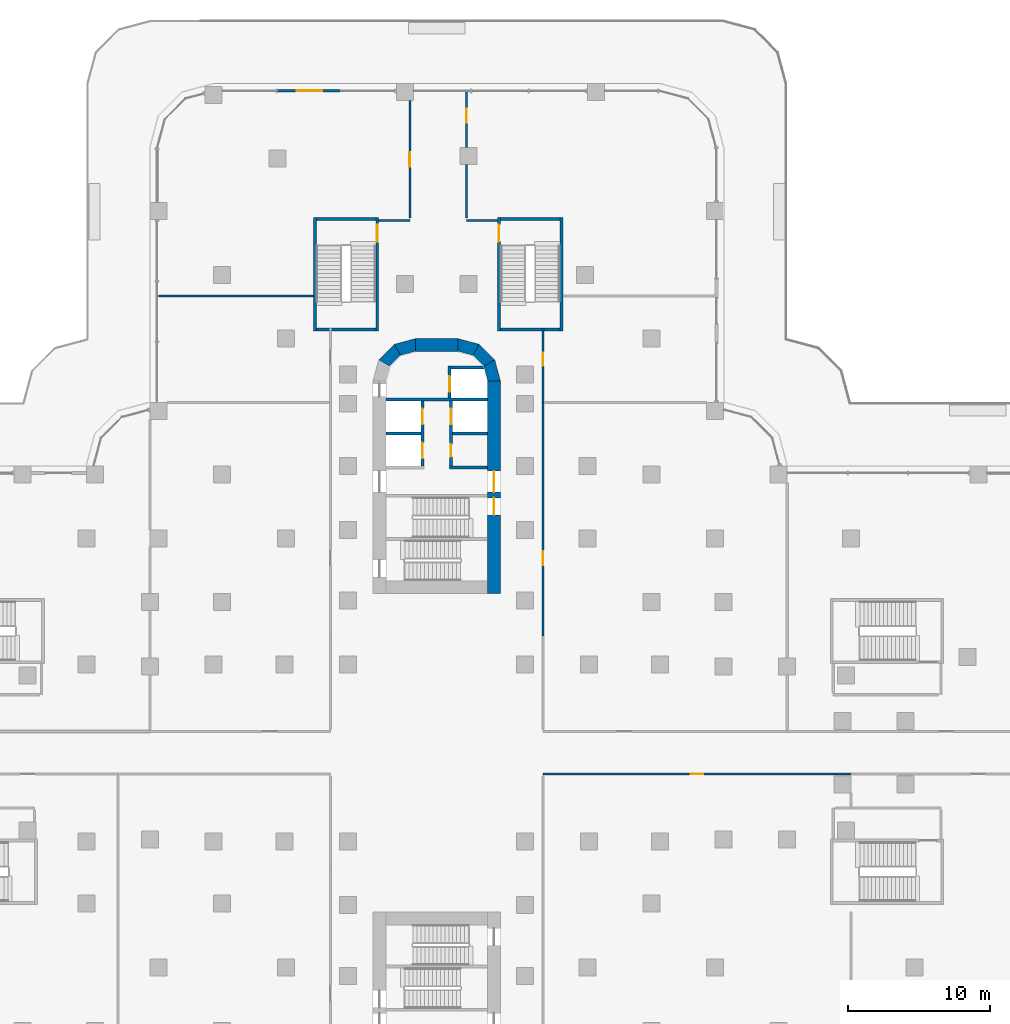
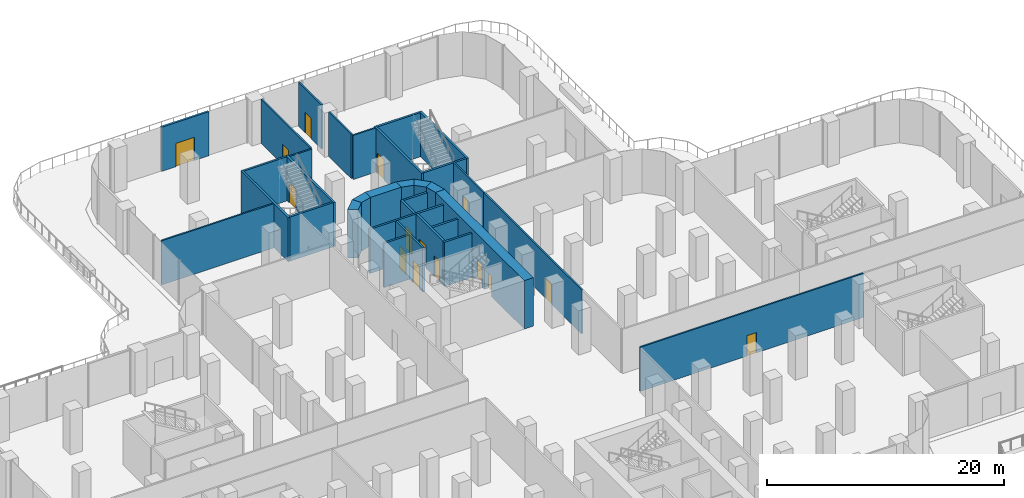
# One storey, part 21 of 29: 33 walls, 15 doors, 15 openings.
"""IFC4 building model written with IfcOpenShell, lengths in metres."""

from ifc_helpers import new_model, si_unit, direction, frame, frame_2d, origin, place, context, subcontext, project, spatial, polyline, rectangle, outline, extrude, material, layer, layer_set, type_object, element, fill, save


model = new_model("IFC4")

# Units and contexts
model_context = context("Model", 3, precision=1e-05, world=origin(), true_north=direction((0.0, 1.0)))
body_context = subcontext(model_context, "Body", "Model", "MODEL_VIEW")
ifc_project = project(units=[si_unit("LENGTHUNIT", "METRE"), si_unit("AREAUNIT", "SQUARE_METRE"), si_unit("VOLUMEUNIT", "CUBIC_METRE"), si_unit("PLANEANGLEUNIT", "RADIAN"), si_unit("MASSUNIT", "GRAM", prefix="KILO")], contexts=[model_context])

# Site, building, storey
site_placement = place(None, origin())
site = spatial("IfcSite", under=ifc_project, at=site_placement, CompositionType="ELEMENT")
building_placement = place(site_placement, origin())
building = spatial("IfcBuilding", under=site, at=building_placement, Name="Zarbagh Exchange Tower", CompositionType="ELEMENT")
storey_placement = place(building_placement, frame((0.0, 0.0, 12.0)))
storey = spatial("IfcBuildingStorey", under=building, at=storey_placement, Name="L02", CompositionType="ELEMENT", Elevation=12.0)

# Walls
ifc_material_1 = material(Name="Plasterboard partition")
ifc_layer_1 = layer(ifc_material_1, 0.14990234375)
ifc_layer_set_1 = layer_set([ifc_layer_1], Name="Board partition 150")
wall_type_1 = type_object("IfcWallType", Name="Board partition 150", PredefinedType="PARTITIONING", material=ifc_layer_set_1)
wall_1_placement = place(storey_placement, frame((-4.10009765625, 37.60009765625, 0.0), z_axis=(0.0, 0.0, 1.0), x_axis=(1.0, 0.0, 0.0)))
element("IfcWall", 1, at=wall_1_placement, inside=storey, type_object=wall_type_1, Name="WL-L02-W001", PredefinedType="PARTITIONING", context=body_context, shape_type="SweptSolid", body=[
    extrude(rectangle(XDim=2.2001953125, YDim=0.14990234375, at=frame_2d((1.10009765625, 0.0))), origin(), (0.0, 0.0, 1.0), 4.550048828125),
])
wall_2_placement = place(storey_placement, frame((2.10009765625, 37.60009765625, 0.0), z_axis=(0.0, 0.0, 1.0), x_axis=(1.0, 0.0, 0.0)))
element("IfcWall", 2, at=wall_2_placement, inside=storey, type_object=wall_type_1, Name="WL-L02-W002", PredefinedType="PARTITIONING", context=body_context, shape_type="SweptSolid", body=[
    extrude(rectangle(XDim=2.199951171875, YDim=0.14990234375, at=frame_2d((1.10009765625, 0.0))), origin(), (0.0, 0.0, 1.0), 4.550048828125),
])

# Wall, opening, door
wall_3_placement = place(storey_placement, frame((7.5, 24.75, 0.0), z_axis=(0.0, 0.0, 1.0), x_axis=(0.0, -1.0, 0.0)))
wall_3 = element("IfcWall", 3, at=wall_3_placement, inside=storey, type_object=wall_type_1, Name="WL-L02-W031", PredefinedType="PARTITIONING", context=body_context, shape_type="SweptSolid", body=[
    extrude(rectangle(XDim=16.5, YDim=0.14990234375, at=frame_2d((8.25, 0.0))), origin(), (0.0, 0.0, 1.0), 4.550048828125),
])
opening_1_placement = place(wall_3_placement, frame((10.5, 0.0, 0.0)))
opening_1 = element("IfcOpeningElement", 4, at=opening_1_placement, cuts=wall_3, Name="Opening D43", PredefinedType="OPENING", context=body_context, shape_type="SweptSolid", body=[
    extrude(rectangle(XDim=1.0, YDim=2.10009765625, at=frame_2d((0.5, 1.050048828125))), frame((0.0, 0.0849609375, 0.0), z_axis=(0.0, -1.0, 0.0), x_axis=(1.0, 0.0, 0.0)), (0.0, 0.0, 1.0), 0.169921875),
])
ifc_material_2 = material(Name="Timber door leaf", Category="wood")
door_type_1 = type_object("IfcDoorType", Name="Door single 1000x2100", OperationType="SINGLE_SWING_LEFT", PredefinedType="DOOR", material=ifc_material_2)
door_1_placement = place(opening_1_placement, origin())
door_1 = element("IfcDoor", 5, at=door_1_placement, inside=storey, type_object=door_type_1, Name="D06", OperationType="SINGLE_SWING_LEFT", OverallHeight=2.10009765625, OverallWidth=1.0, PredefinedType="DOOR", context=body_context, shape_type="SweptSolid", body=[
    extrude(rectangle(XDim=1.0, YDim=2.10009765625, at=frame_2d((0.5, 1.050048828125))), frame((0.0, 0.02490234375, 0.0), z_axis=(0.0, -1.0, 0.0), x_axis=(1.0, 0.0, 0.0)), (0.0, 0.0, 1.0), 0.050048828125),
])
fill(opening_1, door_1)

wall_4_placement = place(storey_placement, frame((7.5, 30.0, 0.0), z_axis=(0.0, 0.0, 1.0), x_axis=(0.0, -1.0, 0.0)))
wall_4 = element("IfcWall", 6, at=wall_4_placement, inside=storey, type_object=wall_type_1, Name="WL-L02-W032", PredefinedType="PARTITIONING", context=body_context, shape_type="SweptSolid", body=[
    extrude(rectangle(XDim=5.25, YDim=0.14990234375, at=frame_2d((2.625, 0.0))), origin(), (0.0, 0.0, 1.0), 4.550048828125),
])
opening_2_placement = place(wall_4_placement, frame((1.75, 0.0, 0.0)))
opening_2 = element("IfcOpeningElement", 7, at=opening_2_placement, cuts=wall_4, Name="Opening D07", PredefinedType="OPENING", context=body_context, shape_type="SweptSolid", body=[
    extrude(rectangle(XDim=0.89990234375, YDim=2.10009765625, at=frame_2d((0.449951171875, 1.050048828125))), frame((0.0, 0.0849609375, 0.0), z_axis=(0.0, -1.0, 0.0), x_axis=(1.0, 0.0, 0.0)), (0.0, 0.0, 1.0), 0.169921875),
])
door_type_2 = type_object("IfcDoorType", Name="Door single 900x2100", OperationType="SINGLE_SWING_LEFT", PredefinedType="DOOR", material=ifc_material_2)
door_2_placement = place(opening_2_placement, origin())
door_2 = element("IfcDoor", 8, at=door_2_placement, inside=storey, type_object=door_type_2, Name="D07", OperationType="SINGLE_SWING_LEFT", OverallHeight=2.10009765625, OverallWidth=0.89990234375, PredefinedType="DOOR", context=body_context, shape_type="SweptSolid", body=[
    extrude(rectangle(XDim=0.89990234375, YDim=2.10009765625, at=frame_2d((0.449951171875, 1.050048828125))), frame((0.0, 0.02490234375, 0.0), z_axis=(0.0, -1.0, 0.0), x_axis=(1.0, 0.0, 0.0)), (0.0, 0.0, 1.0), 0.050048828125),
])
fill(opening_2, door_2)

wall_5_placement = place(storey_placement, frame((29.25, -1.5, 0.0), z_axis=(0.0, 0.0, 1.0), x_axis=(-1.0, 0.0, 0.0)))
wall_5 = element("IfcWall", 9, at=wall_5_placement, inside=storey, type_object=wall_type_1, Name="WL-L02-W041", PredefinedType="PARTITIONING", context=body_context, shape_type="SweptSolid", body=[
    extrude(rectangle(XDim=21.75, YDim=0.14990234375, at=frame_2d((10.875, 0.0))), origin(), (0.0, 0.0, 1.0), 4.550048828125),
])
opening_3_placement = place(wall_5_placement, frame((10.425048828125, 0.0, 0.0)))
opening_3 = element("IfcOpeningElement", 10, at=opening_3_placement, cuts=wall_5, Name="Opening D13", PredefinedType="OPENING", context=body_context, shape_type="SweptSolid", body=[
    extrude(rectangle(XDim=0.89990234375, YDim=2.10009765625, at=frame_2d((0.449951171875, 1.050048828125))), frame((0.0, 0.0849609375, 0.0), z_axis=(0.0, -1.0, 0.0), x_axis=(1.0, 0.0, 0.0)), (0.0, 0.0, 1.0), 0.169921875),
])
door_3_placement = place(opening_3_placement, origin())
door_3 = element("IfcDoor", 11, at=door_3_placement, inside=storey, type_object=door_type_2, Name="D13", OperationType="SINGLE_SWING_LEFT", OverallHeight=2.10009765625, OverallWidth=0.89990234375, PredefinedType="DOOR", context=body_context, shape_type="SweptSolid", body=[
    extrude(rectangle(XDim=0.89990234375, YDim=2.10009765625, at=frame_2d((0.449951171875, 1.050048828125))), frame((0.0, 0.02490234375, 0.0), z_axis=(0.0, -1.0, 0.0), x_axis=(1.0, 0.0, 0.0)), (0.0, 0.0, 1.0), 0.050048828125),
])
fill(opening_3, door_3)

wall_6_placement = place(storey_placement, frame((2.10009765625, 46.64990234375, 0.0), z_axis=(0.0, 0.0, 1.0), x_axis=(0.0, -1.0, 0.0)))
wall_6 = element("IfcWall", 12, at=wall_6_placement, inside=storey, type_object=wall_type_1, Name="WL-L02-W048", PredefinedType="PARTITIONING", context=body_context, shape_type="SweptSolid", body=[
    extrude(rectangle(XDim=3.89990234375, YDim=0.14990234375, at=frame_2d((1.949951171875, 0.0))), origin(), (0.0, 0.0, 1.0), 4.550048828125),
])
opening_4_placement = place(wall_6_placement, frame((1.14990234375, 0.0, 0.0)))
opening_4 = element("IfcOpeningElement", 13, at=opening_4_placement, cuts=wall_6, Name="Opening D63", PredefinedType="OPENING", context=body_context, shape_type="SweptSolid", body=[
    extrude(rectangle(XDim=1.0, YDim=2.10009765625, at=frame_2d((0.5, 1.050048828125))), frame((0.0, 0.0849609375, 0.0), z_axis=(0.0, -1.0, 0.0), x_axis=(1.0, 0.0, 0.0)), (0.0, 0.0, 1.0), 0.169921875),
])
door_4_placement = place(opening_4_placement, origin())
door_4 = element("IfcDoor", 14, at=door_4_placement, inside=storey, type_object=door_type_1, Name="D18", OperationType="SINGLE_SWING_LEFT", OverallHeight=2.10009765625, OverallWidth=1.0, PredefinedType="DOOR", context=body_context, shape_type="SweptSolid", body=[
    extrude(rectangle(XDim=1.0, YDim=2.10009765625, at=frame_2d((0.5, 1.050048828125))), frame((0.0, 0.02490234375, 0.0), z_axis=(0.0, -1.0, 0.0), x_axis=(1.0, 0.0, 0.0)), (0.0, 0.0, 1.0), 0.050048828125),
])
fill(opening_4, door_4)

# Wall
wall_7_placement = place(storey_placement, frame((2.10009765625, 41.550048828125, 0.0), z_axis=(0.0, 0.0, 1.0), x_axis=(0.0, -1.0, 0.0)))
element("IfcWall", 15, at=wall_7_placement, inside=storey, type_object=wall_type_1, Name="WL-L02-W049", PredefinedType="PARTITIONING", context=body_context, shape_type="SweptSolid", body=[
    extrude(rectangle(XDim=3.800048828125, YDim=0.14990234375, at=frame_2d((1.89990234375, 0.0))), origin(), (0.0, 0.0, 1.0), 4.550048828125),
])

# Wall, opening, door
wall_8_placement = place(storey_placement, frame((-1.89990234375, 37.75, 0.0), z_axis=(0.0, 0.0, 1.0), x_axis=(0.0, 1.0, 0.0)))
wall_8 = element("IfcWall", 16, at=wall_8_placement, inside=storey, type_object=wall_type_1, Name="WL-L02-W050", PredefinedType="PARTITIONING", context=body_context, shape_type="SweptSolid", body=[
    extrude(rectangle(XDim=8.300048828125, YDim=0.14990234375, at=frame_2d((4.14990234375, 0.0))), origin(), (0.0, 0.0, 1.0), 4.550048828125),
])
opening_5_placement = place(wall_8_placement, frame((3.64990234375, 0.0, 0.0)))
opening_5 = element("IfcOpeningElement", 17, at=opening_5_placement, cuts=wall_8, Name="Opening D19", PredefinedType="OPENING", context=body_context, shape_type="SweptSolid", body=[
    extrude(rectangle(XDim=1.0, YDim=2.10009765625, at=frame_2d((0.5, 1.050048828125))), frame((0.0, 0.0849609375, 0.0), z_axis=(0.0, -1.0, 0.0), x_axis=(1.0, 0.0, 0.0)), (0.0, 0.0, 1.0), 0.169921875),
])
door_5_placement = place(opening_5_placement, origin())
door_5 = element("IfcDoor", 18, at=door_5_placement, inside=storey, type_object=door_type_1, Name="D19", OperationType="SINGLE_SWING_LEFT", OverallHeight=2.10009765625, OverallWidth=1.0, PredefinedType="DOOR", context=body_context, shape_type="SweptSolid", body=[
    extrude(rectangle(XDim=1.0, YDim=2.10009765625, at=frame_2d((0.5, 1.050048828125))), frame((0.0, 0.02490234375, 0.0), z_axis=(0.0, -1.0, 0.0), x_axis=(1.0, 0.0, 0.0)), (0.0, 0.0, 1.0), 0.050048828125),
])
fill(opening_5, door_5)

# Walls
wall_9_placement = place(storey_placement, frame((-19.64990234375, 32.25, 0.0), z_axis=(0.0, 0.0, 1.0), x_axis=(1.0, 0.0, 0.0)))
element("IfcWall", 19, at=wall_9_placement, inside=storey, type_object=wall_type_1, Name="WL-L02-W062", PredefinedType="PARTITIONING", context=body_context, shape_type="SweptSolid", body=[
    extrude(rectangle(XDim=10.949951171875, YDim=0.14990234375, at=frame_2d((5.47509765625, 0.0))), origin(), (0.0, 0.0, 1.0), 4.550048828125),
])
ifc_material_3 = material(Name="Concrete C60/75", Category="concrete")
ifc_layer_2 = layer(ifc_material_3, 0.89990234375)
ifc_layer_set_2 = layer_set([ifc_layer_2], Name="RC core corner wall 900 C60/75")
wall_type_2 = type_object("IfcWallType", Name="RC core corner wall 900 C60/75", PredefinedType="SHEAR", material=ifc_layer_set_2)
wall_10_placement = place(storey_placement, origin())
element("IfcWall", 20, at=wall_10_placement, inside=storey, type_object=wall_type_2, Name="CW2 core N corner W", PredefinedType="SHEAR", context=body_context, shape_type="SweptSolid", body=[
    extrude(outline(polyline([(-4.09814453125, 27.75), (-3.0, 28.84814453125), (-2.550048828125, 28.068603515625), (-3.318603515625, 27.300048828125), (-4.09814453125, 27.75)])), origin(), (0.0, 0.0, 1.0), 5.0),
])
wall_11_placement = place(storey_placement, origin())
element("IfcWall", 21, at=wall_11_placement, inside=storey, type_object=wall_type_2, Name="CW2 core N corner W", PredefinedType="SHEAR", context=body_context, shape_type="SweptSolid", body=[
    extrude(outline(polyline([(-3.0, 28.84814453125), (-1.5, 29.25), (-1.5, 28.35009765625), (-2.550048828125, 28.068603515625), (-3.0, 28.84814453125)])), origin(), (0.0, 0.0, 1.0), 5.0),
])
wall_12_placement = place(storey_placement, origin())
element("IfcWall", 22, at=wall_12_placement, inside=storey, type_object=wall_type_2, Name="CW2 core N corner E", PredefinedType="SHEAR", context=body_context, shape_type="SweptSolid", body=[
    extrude(outline(polyline([(4.5, 26.25), (4.09814453125, 27.75), (3.318603515625, 27.300048828125), (3.60009765625, 26.25), (4.5, 26.25)])), origin(), (0.0, 0.0, 1.0), 5.0),
])
wall_13_placement = place(storey_placement, origin())
element("IfcWall", 23, at=wall_13_placement, inside=storey, type_object=wall_type_2, Name="CW2 core N corner E", PredefinedType="SHEAR", context=body_context, shape_type="SweptSolid", body=[
    extrude(outline(polyline([(4.09814453125, 27.75), (3.0, 28.84814453125), (2.550048828125, 28.068603515625), (3.318603515625, 27.300048828125), (4.09814453125, 27.75)])), origin(), (0.0, 0.0, 1.0), 5.0),
])
wall_14_placement = place(storey_placement, origin())
element("IfcWall", 24, at=wall_14_placement, inside=storey, type_object=wall_type_2, Name="CW2 core N corner E", PredefinedType="SHEAR", context=body_context, shape_type="SweptSolid", body=[
    extrude(outline(polyline([(3.0, 28.84814453125), (1.5, 29.25), (1.5, 28.35009765625), (2.550048828125, 28.068603515625), (3.0, 28.84814453125)])), origin(), (0.0, 0.0, 1.0), 5.0),
])

# Wall, openings, doors
ifc_layer_3 = layer(ifc_material_3, 0.89990234375)
ifc_layer_set_3 = layer_set([ifc_layer_3], Name="RC core wall 900 C60/75")
wall_type_3 = type_object("IfcWallType", Name="RC core wall 900 C60/75", PredefinedType="SHEAR", material=ifc_layer_set_3)
wall_15_placement = place(storey_placement, frame((4.050048828125, 11.25, 0.0), z_axis=(0.0, 0.0, 1.0), x_axis=(0.0, 1.0, 0.0)))
wall_15 = element("IfcWall", 25, at=wall_15_placement, inside=storey, type_object=wall_type_3, Name="CW1 core N E", PredefinedType="SHEAR", context=body_context, shape_type="SweptSolid", body=[
    extrude(rectangle(XDim=15.0, YDim=0.89990234375, at=frame_2d((7.5, 0.0))), origin(), (0.0, 0.0, 1.0), 5.0),
])
opening_6_placement = place(wall_15_placement, frame((7.14990234375, 0.0, 0.0)))
opening_6 = element("IfcOpeningElement", 26, at=opening_6_placement, cuts=wall_15, Name="Opening CD1-1500", PredefinedType="OPENING", context=body_context, shape_type="SweptSolid", body=[
    extrude(rectangle(XDim=1.5, YDim=2.300048828125, at=frame_2d((0.75, 1.14990234375))), frame((0.0, 0.4599609375, 0.0), z_axis=(0.0, -1.0, 0.0), x_axis=(1.0, 0.0, 0.0)), (0.0, 0.0, 1.0), 0.919921875),
])
opening_7_placement = place(wall_15_placement, frame((5.550048828125, 0.0, 0.0)))
opening_7 = element("IfcOpeningElement", 27, at=opening_7_placement, cuts=wall_15, Name="Opening SD1-1200", PredefinedType="OPENING", context=body_context, shape_type="SweptSolid", body=[
    extrude(rectangle(XDim=1.199951171875, YDim=2.10009765625, at=frame_2d((0.60009765625, 1.050048828125))), frame((0.0, 0.4599609375, 0.0), z_axis=(0.0, -1.0, 0.0), x_axis=(1.0, 0.0, 0.0)), (0.0, 0.0, 1.0), 0.919921875),
])
ifc_material_4 = material(Name="Steel", Category="steel")
door_type_3 = type_object("IfcDoorType", Name="Exit stair door 1200 x 2100", OperationType="NOTDEFINED", PredefinedType="DOOR", material=ifc_material_4)
door_6_placement = place(opening_7_placement, origin())
door_6 = element("IfcDoor", 28, at=door_6_placement, inside=storey, type_object=door_type_3, Name="North core stair door ST1", OperationType="SINGLE_SWING_RIGHT", OverallHeight=2.10009765625, OverallWidth=1.199951171875, PredefinedType="DOOR", context=body_context, shape_type="SweptSolid", body=[
    extrude(rectangle(XDim=1.199951171875, YDim=2.10009765625, at=frame_2d((0.60009765625, 1.050048828125))), frame((0.0, 0.02490234375, 0.0), z_axis=(0.0, -1.0, 0.0), x_axis=(1.0, 0.0, 0.0)), (0.0, 0.0, 1.0), 0.050048828125),
])
fill(opening_7, door_6)
door_type_4 = type_object("IfcDoorType", Name="Lift lobby double door 1500 x 2300", OperationType="NOTDEFINED", PredefinedType="DOOR", material=ifc_material_4)
door_7_placement = place(opening_6_placement, origin())
door_7 = element("IfcDoor", 29, at=door_7_placement, inside=storey, type_object=door_type_4, Name="North core lift lobby door LOBBY-E", OperationType="DOUBLE_DOOR_SINGLE_SWING", OverallHeight=2.300048828125, OverallWidth=1.5, PredefinedType="DOOR", context=body_context, shape_type="SweptSolid", body=[
    extrude(rectangle(XDim=1.5, YDim=2.300048828125, at=frame_2d((0.75, 1.14990234375))), frame((0.0, 0.02490234375, 0.0), z_axis=(0.0, -1.0, 0.0), x_axis=(1.0, 0.0, 0.0)), (0.0, 0.0, 1.0), 0.050048828125),
])
fill(opening_6, door_7)

# Wall
wall_16_placement = place(storey_placement, frame((-1.5, 28.800048828125, 0.0), z_axis=(0.0, 0.0, 1.0), x_axis=(1.0, 0.0, 0.0)))
element("IfcWall", 30, at=wall_16_placement, inside=storey, type_object=wall_type_3, Name="CW1 core N outer end", PredefinedType="SHEAR", context=body_context, shape_type="SweptSolid", body=[
    extrude(rectangle(XDim=3.0, YDim=0.89990234375, at=frame_2d((1.5, 0.0))), origin(), (0.0, 0.0, 1.0), 5.0),
])

# Wall, openings, doors
ifc_material_5 = material(Name="Dense blockwork", Category="masonry")
ifc_layer_4 = layer(ifc_material_5, 0.199951171875)
ifc_layer_set_4 = layer_set([ifc_layer_4], Name="Shaft wall 200 mm blockwork")
wall_type_4 = type_object("IfcWallType", Name="Shaft wall 200 mm blockwork", PredefinedType="PARTITIONING", material=ifc_layer_set_4)
wall_17_placement = place(storey_placement, frame((-1.0, 24.85009765625, 0.0), z_axis=(0.0, 0.0, 1.0), x_axis=(0.0, -1.0, 0.0)))
wall_17 = element("IfcWall", 31, at=wall_17_placement, inside=storey, type_object=wall_type_4, Name="North core shaft wall LW-W", PredefinedType="PARTITIONING", context=body_context, shape_type="SweptSolid", body=[
    extrude(rectangle(XDim=4.60009765625, YDim=0.199951171875, at=frame_2d((2.300048828125, 0.0))), origin(), (0.0, 0.0, 1.0), 4.550048828125),
])
opening_8_placement = place(wall_17_placement, frame((0.550048828125, 0.0, 0.0)))
opening_8 = element("IfcOpeningElement", 32, at=opening_8_placement, cuts=wall_17, Name="Opening LD-1100", PredefinedType="OPENING", context=body_context, shape_type="SweptSolid", body=[
    extrude(rectangle(XDim=1.10009765625, YDim=2.300048828125, at=frame_2d((0.550048828125, 1.14990234375))), frame((0.0, 0.10986328125, 0.0), z_axis=(0.0, -1.0, 0.0), x_axis=(1.0, 0.0, 0.0)), (0.0, 0.0, 1.0), 0.219970703125),
])
opening_9_placement = place(wall_17_placement, frame((2.949951171875, 0.0, 0.0)))
opening_9 = element("IfcOpeningElement", 33, at=opening_9_placement, cuts=wall_17, Name="Opening LD-1100", PredefinedType="OPENING", context=body_context, shape_type="SweptSolid", body=[
    extrude(rectangle(XDim=1.10009765625, YDim=2.300048828125, at=frame_2d((0.550048828125, 1.14990234375))), frame((0.0, 0.10986328125, 0.0), z_axis=(0.0, -1.0, 0.0), x_axis=(1.0, 0.0, 0.0)), (0.0, 0.0, 1.0), 0.219970703125),
])
ifc_material_6 = material(Name="Stainless steel", Category="steel")
door_type_5 = type_object("IfcDoorType", Name="Lift landing door 1100 x 2300", OperationType="NOTDEFINED", PredefinedType="DOOR", material=ifc_material_6)
door_8_placement = place(opening_8_placement, origin())
door_8 = element("IfcDoor", 34, at=door_8_placement, inside=storey, type_object=door_type_5, Name="North core lift landing door LD-P-N1", OperationType="DOUBLE_DOOR_SLIDING", OverallHeight=2.300048828125, OverallWidth=1.10009765625, PredefinedType="DOOR", context=body_context, shape_type="SweptSolid", body=[
    extrude(rectangle(XDim=1.10009765625, YDim=2.300048828125, at=frame_2d((0.550048828125, 1.14990234375))), frame((0.0, 0.02490234375, 0.0), z_axis=(0.0, -1.0, 0.0), x_axis=(1.0, 0.0, 0.0)), (0.0, 0.0, 1.0), 0.050048828125),
])
fill(opening_8, door_8)
door_9_placement = place(opening_9_placement, origin())
door_9 = element("IfcDoor", 35, at=door_9_placement, inside=storey, type_object=door_type_5, Name="North core lift landing door LD-P-N2", OperationType="DOUBLE_DOOR_SLIDING", OverallHeight=2.300048828125, OverallWidth=1.10009765625, PredefinedType="DOOR", context=body_context, shape_type="SweptSolid", body=[
    extrude(rectangle(XDim=1.10009765625, YDim=2.300048828125, at=frame_2d((0.550048828125, 1.14990234375))), frame((0.0, 0.02490234375, 0.0), z_axis=(0.0, -1.0, 0.0), x_axis=(1.0, 0.0, 0.0)), (0.0, 0.0, 1.0), 0.050048828125),
])
fill(opening_9, door_9)

# Wall
wall_18_placement = place(storey_placement, frame((0.89990234375, 20.14990234375, 0.0), z_axis=(0.0, 0.0, 1.0), x_axis=(1.0, 0.0, 0.0)))
element("IfcWall", 36, at=wall_18_placement, inside=storey, type_object=wall_type_4, Name="North core shaft wall AB-E", PredefinedType="PARTITIONING", context=body_context, shape_type="SweptSolid", body=[
    extrude(rectangle(XDim=2.7001953125, YDim=0.199951171875, at=frame_2d((1.35009765625, 0.0))), origin(), (0.0, 0.0, 1.0), 4.550048828125),
])

# Wall, openings, doors
wall_19_placement = place(storey_placement, frame((1.0, 24.85009765625, 0.0), z_axis=(0.0, 0.0, 1.0), x_axis=(0.0, -1.0, 0.0)))
wall_19 = element("IfcWall", 37, at=wall_19_placement, inside=storey, type_object=wall_type_4, Name="North core shaft wall LW-E", PredefinedType="PARTITIONING", context=body_context, shape_type="SweptSolid", body=[
    extrude(rectangle(XDim=4.60009765625, YDim=0.199951171875, at=frame_2d((2.300048828125, 0.0))), origin(), (0.0, 0.0, 1.0), 4.550048828125),
])
opening_10_placement = place(wall_19_placement, frame((0.550048828125, 0.0, 0.0)))
opening_10 = element("IfcOpeningElement", 38, at=opening_10_placement, cuts=wall_19, Name="Opening LD-1100", PredefinedType="OPENING", context=body_context, shape_type="SweptSolid", body=[
    extrude(rectangle(XDim=1.10009765625, YDim=2.300048828125, at=frame_2d((0.550048828125, 1.14990234375))), frame((0.0, 0.10986328125, 0.0), z_axis=(0.0, -1.0, 0.0), x_axis=(1.0, 0.0, 0.0)), (0.0, 0.0, 1.0), 0.219970703125),
])
opening_11_placement = place(wall_19_placement, frame((3.050048828125, 0.0, 0.0)))
opening_11 = element("IfcOpeningElement", 39, at=opening_11_placement, cuts=wall_19, Name="Opening CD3-900", PredefinedType="OPENING", context=body_context, shape_type="SweptSolid", body=[
    extrude(rectangle(XDim=0.89990234375, YDim=2.10009765625, at=frame_2d((0.449951171875, 1.050048828125))), frame((0.0, 0.10986328125, 0.0), z_axis=(0.0, -1.0, 0.0), x_axis=(1.0, 0.0, 0.0)), (0.0, 0.0, 1.0), 0.219970703125),
])
door_type_6 = type_object("IfcDoorType", Name="Core room door 900 x 2100", OperationType="NOTDEFINED", PredefinedType="DOOR", material=ifc_material_4)
door_10_placement = place(opening_11_placement, origin())
door_10 = element("IfcDoor", 40, at=door_10_placement, inside=storey, type_object=door_type_6, Name="North core Accessible WC door RD-E-0", OperationType="SINGLE_SWING_RIGHT", OverallHeight=2.10009765625, OverallWidth=0.89990234375, PredefinedType="DOOR", context=body_context, shape_type="SweptSolid", body=[
    extrude(rectangle(XDim=0.89990234375, YDim=2.10009765625, at=frame_2d((0.449951171875, 1.050048828125))), frame((0.0, 0.02490234375, 0.0), z_axis=(0.0, -1.0, 0.0), x_axis=(1.0, 0.0, 0.0)), (0.0, 0.0, 1.0), 0.050048828125),
])
fill(opening_11, door_10)
door_11_placement = place(opening_10_placement, origin())
door_11 = element("IfcDoor", 41, at=door_11_placement, inside=storey, type_object=door_type_5, Name="North core lift landing door LD-P-N3", OperationType="DOUBLE_DOOR_SLIDING", OverallHeight=2.300048828125, OverallWidth=1.10009765625, PredefinedType="DOOR", context=body_context, shape_type="SweptSolid", body=[
    extrude(rectangle(XDim=1.10009765625, YDim=2.300048828125, at=frame_2d((0.550048828125, 1.14990234375))), frame((0.0, 0.02490234375, 0.0), z_axis=(0.0, -1.0, 0.0), x_axis=(1.0, 0.0, 0.0)), (0.0, 0.0, 1.0), 0.050048828125),
])
fill(opening_10, door_11)

# Walls
for number, where, z_axis, x_axis, name in (
    (42, (-3.60009765625, 22.550048828125, 0.0), (0.0, 0.0, 1.0), (1.0, 0.0, 0.0), "North core shaft wall TR-W"),
    (43, (1.10009765625, 22.550048828125, 0.0), (0.0, 0.0, 1.0), (1.0, 0.0, 0.0), "North core shaft wall TR-E"),
):
    element("IfcWall", number, at=place(storey_placement, frame(where, z_axis=z_axis, x_axis=x_axis)), inside=storey, type_object=wall_type_4, Name=name, PredefinedType="PARTITIONING", context=body_context, shape_type="SweptSolid", body=[
        extrude(rectangle(XDim=2.5, YDim=0.199951171875, at=frame_2d((1.25, 0.0))), origin(), (0.0, 0.0, 1.0), 4.550048828125),
    ])
ifc_material_7 = material(Name="Concrete C40/50", Category="concrete")
ifc_layer_5 = layer(ifc_material_7, 0.199951171875)
ifc_layer_set_5 = layer_set([ifc_layer_5], Name="Stair enclosure wall 200 mm RC C40/50")
wall_type_5 = type_object("IfcWallType", Name="Stair enclosure wall 200 mm RC C40/50", PredefinedType="SHEAR", material=ifc_layer_set_5)
wall_20_placement = place(storey_placement, frame((-3.60009765625, 24.949951171875, 0.0), z_axis=(0.0, 0.0, 1.0), x_axis=(1.0, 0.0, 0.0)))
element("IfcWall", 44, at=wall_20_placement, inside=storey, type_object=wall_type_5, Name="North core lift shaft wall FFA", PredefinedType="SHEAR", context=body_context, shape_type="SweptSolid", body=[
    extrude(rectangle(XDim=7.2001953125, YDim=0.199951171875, at=frame_2d((3.60009765625, 0.0))), origin(), (0.0, 0.0, 1.0), 4.550048828125),
])

# Wall, opening, door
wall_21_placement = place(storey_placement, frame((0.89990234375, 27.300048828125, 0.0), z_axis=(0.0, 0.0, 1.0), x_axis=(0.0, -1.0, 0.0)))
wall_21 = element("IfcWall", 45, at=wall_21_placement, inside=storey, type_object=wall_type_5, Name="North core lift shaft wall FFL", PredefinedType="SHEAR", context=body_context, shape_type="SweptSolid", body=[
    extrude(rectangle(XDim=2.25, YDim=0.199951171875, at=frame_2d((1.125, 0.0))), origin(), (0.0, 0.0, 1.0), 4.550048828125),
])
opening_12_placement = place(wall_21_placement, frame((0.699951171875, 0.0, 0.0)))
opening_12 = element("IfcOpeningElement", 46, at=opening_12_placement, cuts=wall_21, Name="Opening LD-1100", PredefinedType="OPENING", context=body_context, shape_type="SweptSolid", body=[
    extrude(rectangle(XDim=1.10009765625, YDim=2.300048828125, at=frame_2d((0.550048828125, 1.14990234375))), frame((0.0, 0.10986328125, 0.0), z_axis=(0.0, -1.0, 0.0), x_axis=(1.0, 0.0, 0.0)), (0.0, 0.0, 1.0), 0.219970703125),
])
door_12_placement = place(opening_12_placement, origin())
door_12 = element("IfcDoor", 47, at=door_12_placement, inside=storey, type_object=door_type_5, Name="North core lift landing door LD-F", OperationType="DOUBLE_DOOR_SLIDING", OverallHeight=2.300048828125, OverallWidth=1.10009765625, PredefinedType="DOOR", context=body_context, shape_type="SweptSolid", body=[
    extrude(rectangle(XDim=1.10009765625, YDim=2.300048828125, at=frame_2d((0.550048828125, 1.14990234375))), frame((0.0, 0.02490234375, 0.0), z_axis=(0.0, -1.0, 0.0), x_axis=(1.0, 0.0, 0.0)), (0.0, 0.0, 1.0), 0.050048828125),
])
fill(opening_12, door_12)

# Walls
wall_22_placement = place(storey_placement, origin())
element("IfcWall", 48, at=wall_22_placement, inside=storey, type_object=wall_type_5, Name="North core lift shaft wall FFX", PredefinedType="SHEAR", context=body_context, shape_type="SweptSolid", body=[
    extrude(outline(polyline([(1.0, 27.10009765625), (3.340576171875, 27.10009765625), (3.291259765625, 27.2841796875), (3.275390625, 27.300048828125), (1.0, 27.300048828125), (1.0, 27.10009765625)])), origin(), (0.0, 0.0, 1.0), 4.550048828125),
])
wall_23_placement = place(storey_placement, frame((-8.60009765625, 29.800048828125, 0.0), z_axis=(0.0, 0.0, 1.0), x_axis=(0.0, 1.0, 0.0)))
element("IfcWall", 49, at=wall_23_placement, inside=storey, type_object=wall_type_5, Name="Exit stair PS1 enclosure wall W", PredefinedType="SHEAR", context=body_context, shape_type="SweptSolid", body=[
    extrude(rectangle(XDim=8.0, YDim=0.199951171875, at=frame_2d((4.0, 0.0))), origin(), (0.0, 0.0, 1.0), 4.550048828125),
])

# Wall, opening, door
wall_24_placement = place(storey_placement, frame((-4.199951171875, 29.800048828125, 0.0), z_axis=(0.0, 0.0, 1.0), x_axis=(0.0, 1.0, 0.0)))
wall_24 = element("IfcWall", 50, at=wall_24_placement, inside=storey, type_object=wall_type_5, Name="Exit stair PS1 enclosure wall E", PredefinedType="SHEAR", context=body_context, shape_type="SweptSolid", body=[
    extrude(rectangle(XDim=8.0, YDim=0.199951171875, at=frame_2d((4.0, 0.0))), origin(), (0.0, 0.0, 1.0), 4.550048828125),
])
opening_13_placement = place(wall_24_placement, frame((6.300048828125, 0.0, 0.0)))
opening_13 = element("IfcOpeningElement", 51, at=opening_13_placement, cuts=wall_24, Name="Opening SD1-1200", PredefinedType="OPENING", context=body_context, shape_type="SweptSolid", body=[
    extrude(rectangle(XDim=1.199951171875, YDim=2.10009765625, at=frame_2d((0.60009765625, 1.050048828125))), frame((0.0, 0.10986328125, 0.0), z_axis=(0.0, -1.0, 0.0), x_axis=(1.0, 0.0, 0.0)), (0.0, 0.0, 1.0), 0.219970703125),
])
door_13_placement = place(opening_13_placement, origin())
door_13 = element("IfcDoor", 52, at=door_13_placement, inside=storey, type_object=door_type_3, Name="Exit stair PS1 entry door", OperationType="SINGLE_SWING_RIGHT", OverallHeight=2.10009765625, OverallWidth=1.199951171875, PredefinedType="DOOR", context=body_context, shape_type="SweptSolid", body=[
    extrude(rectangle(XDim=1.199951171875, YDim=2.10009765625, at=frame_2d((0.60009765625, 1.050048828125))), frame((0.0, 0.02490234375, 0.0), z_axis=(0.0, -1.0, 0.0), x_axis=(1.0, 0.0, 0.0)), (0.0, 0.0, 1.0), 0.050048828125),
])
fill(opening_13, door_13)

# Walls
for number, where, z_axis, x_axis, name in (
    (53, (-8.5, 29.89990234375, 0.0), (0.0, 0.0, 1.0), (1.0, 0.0, 0.0), "Exit stair PS1 enclosure wall S"),
    (54, (-8.5, 37.699951171875, 0.0), (0.0, 0.0, 1.0), (1.0, 0.0, 0.0), "Exit stair PS1 enclosure wall N"),
):
    element("IfcWall", number, at=place(storey_placement, frame(where, z_axis=z_axis, x_axis=x_axis)), inside=storey, type_object=wall_type_5, Name=name, PredefinedType="SHEAR", context=body_context, shape_type="SweptSolid", body=[
        extrude(rectangle(XDim=4.199951171875, YDim=0.199951171875, at=frame_2d((2.10009765625, 0.0))), origin(), (0.0, 0.0, 1.0), 4.550048828125),
    ])

# Wall, opening, door
wall_25_placement = place(storey_placement, frame((4.39990234375, 29.800048828125, 0.0), z_axis=(0.0, 0.0, 1.0), x_axis=(0.0, 1.0, 0.0)))
wall_25 = element("IfcWall", 55, at=wall_25_placement, inside=storey, type_object=wall_type_5, Name="Exit stair PS2 enclosure wall W", PredefinedType="SHEAR", context=body_context, shape_type="SweptSolid", body=[
    extrude(rectangle(XDim=8.0, YDim=0.199951171875, at=frame_2d((4.0, 0.0))), origin(), (0.0, 0.0, 1.0), 4.550048828125),
])
opening_14_placement = place(wall_25_placement, frame((6.300048828125, 0.0, 0.0)))
opening_14 = element("IfcOpeningElement", 56, at=opening_14_placement, cuts=wall_25, Name="Opening SD1-1200", PredefinedType="OPENING", context=body_context, shape_type="SweptSolid", body=[
    extrude(rectangle(XDim=1.199951171875, YDim=2.10009765625, at=frame_2d((0.60009765625, 1.050048828125))), frame((0.0, 0.10986328125, 0.0), z_axis=(0.0, -1.0, 0.0), x_axis=(1.0, 0.0, 0.0)), (0.0, 0.0, 1.0), 0.219970703125),
])
door_14_placement = place(opening_14_placement, origin())
door_14 = element("IfcDoor", 57, at=door_14_placement, inside=storey, type_object=door_type_3, Name="Exit stair PS2 entry door", OperationType="SINGLE_SWING_LEFT", OverallHeight=2.10009765625, OverallWidth=1.199951171875, PredefinedType="DOOR", context=body_context, shape_type="SweptSolid", body=[
    extrude(rectangle(XDim=1.199951171875, YDim=2.10009765625, at=frame_2d((0.60009765625, 1.050048828125))), frame((0.0, 0.02490234375, 0.0), z_axis=(0.0, -1.0, 0.0), x_axis=(1.0, 0.0, 0.0)), (0.0, 0.0, 1.0), 0.050048828125),
])
fill(opening_14, door_14)

# Walls
wall_26_placement = place(storey_placement, frame((8.800048828125, 29.800048828125, 0.0), z_axis=(0.0, 0.0, 1.0), x_axis=(0.0, 1.0, 0.0)))
element("IfcWall", 58, at=wall_26_placement, inside=storey, type_object=wall_type_5, Name="Exit stair PS2 enclosure wall E", PredefinedType="SHEAR", context=body_context, shape_type="SweptSolid", body=[
    extrude(rectangle(XDim=8.0, YDim=0.199951171875, at=frame_2d((4.0, 0.0))), origin(), (0.0, 0.0, 1.0), 4.550048828125),
])
for number, where, z_axis, x_axis, name in (
    (59, (4.5, 29.89990234375, 0.0), (0.0, 0.0, 1.0), (1.0, 0.0, 0.0), "Exit stair PS2 enclosure wall S"),
    (60, (4.5, 37.699951171875, 0.0), (0.0, 0.0, 1.0), (1.0, 0.0, 0.0), "Exit stair PS2 enclosure wall N"),
):
    element("IfcWall", number, at=place(storey_placement, frame(where, z_axis=z_axis, x_axis=x_axis)), inside=storey, type_object=wall_type_5, Name=name, PredefinedType="SHEAR", context=body_context, shape_type="SweptSolid", body=[
        extrude(rectangle(XDim=4.199951171875, YDim=0.199951171875, at=frame_2d((2.10009765625, 0.0))), origin(), (0.0, 0.0, 1.0), 4.550048828125),
    ])

# Wall, opening, door
ifc_material_8 = material(Name="Precast concrete C50/60", Category="concrete")
ifc_layer_6 = layer(ifc_material_8, 0.199951171875)
ifc_layer_set_6 = layer_set([ifc_layer_6], Name="Terrace door wall, precast concrete C50/60")
wall_type_6 = type_object("IfcWallType", Name="Terrace door wall, precast concrete C50/60", PredefinedType="SOLIDWALL", material=ifc_layer_set_6)
wall_27_placement = place(storey_placement, frame((-6.7099609375, 46.75, 0.0), z_axis=(0.0, 0.0, 1.0), x_axis=(-1.0, 0.0, 0.0)))
wall_27 = element("IfcWall", 61, at=wall_27_placement, inside=storey, type_object=wall_type_6, Name="TW13 door wall", PredefinedType="SOLIDWALL", context=body_context, shape_type="SweptSolid", body=[
    extrude(rectangle(XDim=4.580078125, YDim=0.199951171875, at=frame_2d((2.2900390625, 0.0))), origin(), (0.0, 0.0, 1.0), 4.550048828125),
])
opening_15_placement = place(wall_27_placement, frame((1.389892578125, 0.0, 0.0)))
opening_15 = element("IfcOpeningElement", 62, at=opening_15_placement, cuts=wall_27, Name="Opening TD03", PredefinedType="OPENING", context=body_context, shape_type="SweptSolid", body=[
    extrude(rectangle(XDim=1.800048828125, YDim=2.39990234375, at=frame_2d((0.89990234375, 1.199951171875))), frame((0.0, 0.10986328125, 0.0), z_axis=(0.0, -1.0, 0.0), x_axis=(1.0, 0.0, 0.0)), (0.0, 0.0, 1.0), 0.219970703125),
])
ifc_material_9 = material(Name="Anodised aluminium and glass", Category="aluminium")
door_type_7 = type_object("IfcDoorType", Name="Terrace door, double leaf, aluminium and glass", OperationType="DOUBLE_DOOR_DOUBLE_SWING", PredefinedType="DOOR", material=ifc_material_9)
door_15_placement = place(opening_15_placement, origin())
door_15 = element("IfcDoor", 63, at=door_15_placement, inside=storey, type_object=door_type_7, Name="TD03 terrace door", OperationType="SINGLE_SWING_LEFT", OverallHeight=2.39990234375, OverallWidth=1.800048828125, PredefinedType="DOOR", context=body_context, shape_type="SweptSolid", body=[
    extrude(rectangle(XDim=1.800048828125, YDim=2.39990234375, at=frame_2d((0.89990234375, 1.199951171875))), frame((0.0, 0.02490234375, 0.0), z_axis=(0.0, -1.0, 0.0), x_axis=(1.0, 0.0, 0.0)), (0.0, 0.0, 1.0), 0.050048828125),
])
fill(opening_15, door_15)

save(model, "model.ifc")
